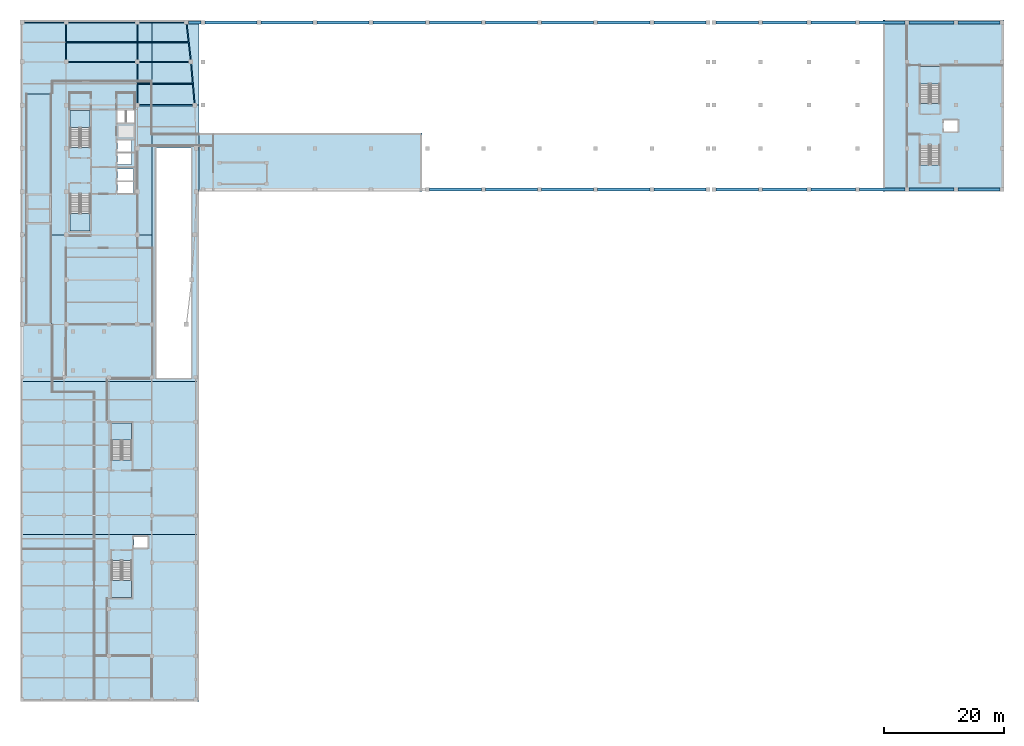
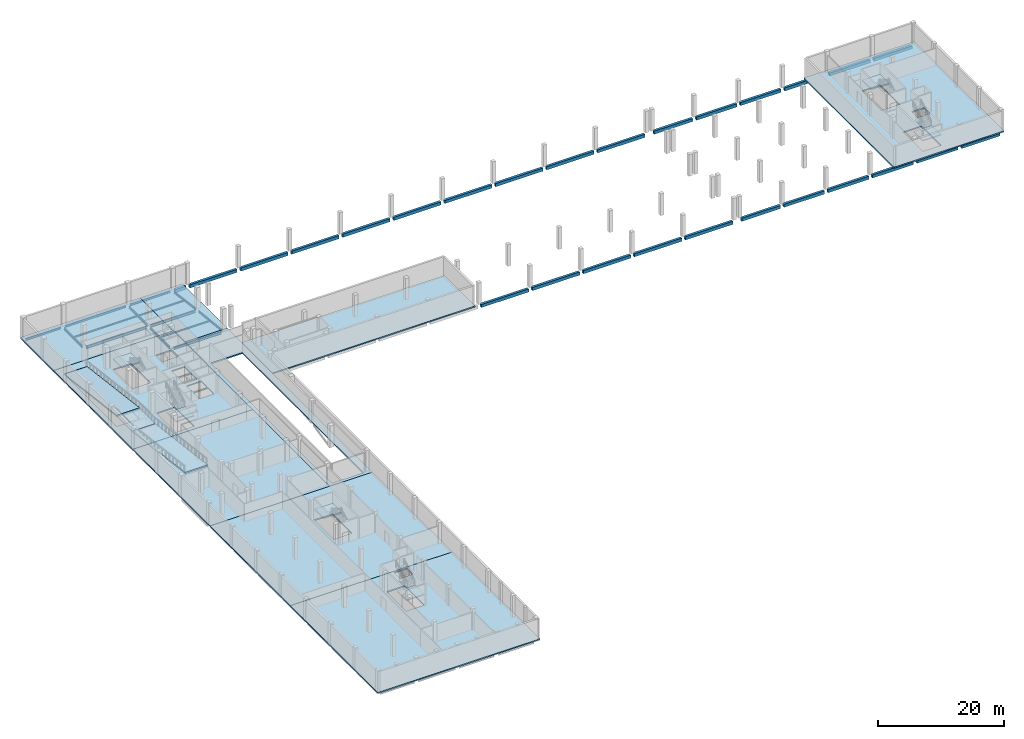
# One storey, part 4 of 15: 41 beams, 18 slabs, 6 elements without a shape of their own.
"""IFC4 building model written with IfcOpenShell, lengths in metres."""

from ifc_helpers import new_model, si_unit, direction, frame, origin, origin_2d, place, context, subcontext, project, spatial, polyline, rectangle, i_section, outline, extrude, material, layer, layer_set, material_profile, profile_set, type_object, element, aggregate, save


model = new_model("IFC4")

# Units and contexts
model_context = context("Model", 3, precision=1e-05, world=origin(), true_north=direction((0.0, 1.0)))
body_context = subcontext(model_context, "Body", "Model", "MODEL_VIEW")
ifc_project = project(units=[si_unit("LENGTHUNIT", "METRE"), si_unit("AREAUNIT", "SQUARE_METRE"), si_unit("VOLUMEUNIT", "CUBIC_METRE"), si_unit("PLANEANGLEUNIT", "RADIAN"), si_unit("MASSUNIT", "GRAM", prefix="KILO")], contexts=[model_context])

# Site, building, storey
site_placement = place(None, origin())
site = spatial("IfcSite", under=ifc_project, at=site_placement, CompositionType="ELEMENT")
building_placement = place(site_placement, origin())
building = spatial("IfcBuilding", under=site, at=building_placement, Name="Quillay Park Conservatory", CompositionType="ELEMENT")
storey_placement = place(building_placement, frame((0.0, 0.0, -4.199951171875)))
storey = spatial("IfcBuildingStorey", under=building, at=storey_placement, Name="B1", CompositionType="ELEMENT", Elevation=-4.199951171875)

# Beams
ifc_material_1 = material(Name="Concrete C35/45 (NCh170 Concrete C35/45)", Category="concrete")
ifc_material_profile_1 = material_profile(ifc_material_1, rectangle(XDim=0.449951171875, YDim=0.60009765625, at=origin_2d()), Name="RC600x450")
ifc_profile_set_1 = profile_set([ifc_material_profile_1], Name="Concrete C35/45 (NCh170 Concrete C35/45)")
beam_type_1 = type_object("IfcBeamType", Name="BASEMENT TIE GIRDER RC600", PredefinedType="BEAM", material=ifc_profile_set_1)
for number, where, z_axis, x_axis, name in (
    (1, (68.397216796875, 85.550048828125, -0.5400390625), (1.0, 0.0, 0.0), (0.0, 1.0, 0.0), "B1 beam BM-SUBN-1550"),
    (2, (77.752685546875, 85.550048828125, -0.5400390625), (1.0, 0.0, 0.0), (0.0, 1.0, 0.0), "B1 beam BM-SUBN-1551"),
    (3, (87.1083984375, 85.550048828125, -0.5400390625), (1.0, 0.0, 0.0), (0.0, 1.0, 0.0), "B1 beam BM-SUBN-1552"),
    (4, (96.4638671875, 85.550048828125, -0.5400390625), (1.0, 0.0, 0.0), (0.0, 1.0, 0.0), "B1 beam BM-SUBN-1553"),
    (5, (105.8193359375, 85.550048828125, -0.5400390625), (1.0, 0.0, 0.0), (0.0, 1.0, 0.0), "B1 beam BM-SUBN-1554"),
):
    element("IfcBeam", number, at=place(storey_placement, frame(where, z_axis=z_axis, x_axis=x_axis)), inside=storey, type_object=beam_type_1, Name=name, PredefinedType="BEAM", context=body_context, shape_type="SweptSolid", body=[
        extrude(rectangle(XDim=0.449951171875, YDim=0.60009765625, at=origin_2d()), origin(), (0.0, 0.0, 1.0), 8.70556640625),
    ])
beam_1_placement = place(storey_placement, frame((116.175048828125, 85.550048828125, -0.5400390625), z_axis=(1.0, 0.0, 0.0), x_axis=(0.0, 1.0, 0.0)))
element("IfcBeam", 6, at=beam_1_placement, inside=storey, type_object=beam_type_1, Name="B1 beam BM-SUBN-1555", PredefinedType="BEAM", context=body_context, shape_type="SweptSolid", body=[
    extrude(rectangle(XDim=0.449951171875, YDim=0.60009765625, at=origin_2d()), origin(), (0.0, 0.0, 1.0), 7.099853515625),
])
beam_2_placement = place(storey_placement, frame((123.925048828125, 85.550048828125, -0.5400390625), z_axis=(1.0, 0.0, 0.0), x_axis=(0.0, 1.0, 0.0)))
element("IfcBeam", 7, at=beam_2_placement, inside=storey, type_object=beam_type_1, Name="B1 beam BM-SUBN-1556", PredefinedType="BEAM", context=body_context, shape_type="SweptSolid", body=[
    extrude(rectangle(XDim=0.449951171875, YDim=0.60009765625, at=origin_2d()), origin(), (0.0, 0.0, 1.0), 7.449951171875),
])
beam_3_placement = place(storey_placement, frame((132.02490234375, 85.550048828125, -0.5400390625), z_axis=(1.0, 0.0, 0.0), x_axis=(0.0, 1.0, 0.0)))
element("IfcBeam", 8, at=beam_3_placement, inside=storey, type_object=beam_type_1, Name="B1 beam BM-SUBN-1557", PredefinedType="BEAM", context=body_context, shape_type="SweptSolid", body=[
    extrude(rectangle(XDim=0.449951171875, YDim=0.60009765625, at=origin_2d()), origin(), (0.0, 0.0, 1.0), 7.4501953125),
])
for number, where, z_axis, x_axis, name in (
    (9, (140.125, 85.550048828125, -0.5400390625), (1.0, 0.0, 0.0), (0.0, 1.0, 0.0), "B1 beam BM-SUBN-1558"),
    (10, (148.324951171875, 85.550048828125, -0.5400390625), (1.0, 0.0, 0.0), (0.0, 1.0, 0.0), "B1 beam BM-SUBN-1559"),
):
    element("IfcBeam", number, at=place(storey_placement, frame(where, z_axis=z_axis, x_axis=x_axis)), inside=storey, type_object=beam_type_1, Name=name, PredefinedType="BEAM", context=body_context, shape_type="SweptSolid", body=[
        extrude(rectangle(XDim=0.449951171875, YDim=0.60009765625, at=origin_2d()), origin(), (0.0, 0.0, 1.0), 7.550048828125),
    ])
beam_4_placement = place(storey_placement, frame((156.52490234375, 85.550048828125, -0.5400390625), z_axis=(1.0, 0.0, 0.0), x_axis=(0.0, 1.0, 0.0)))
element("IfcBeam", 11, at=beam_4_placement, inside=storey, type_object=beam_type_1, Name="B1 beam BM-SUBN-1560", PredefinedType="BEAM", context=body_context, shape_type="SweptSolid", body=[
    extrude(rectangle(XDim=0.449951171875, YDim=0.60009765625, at=origin_2d()), origin(), (0.0, 0.0, 1.0), 7.0),
])
beam_5_placement = place(storey_placement, frame((28.300048828125, 113.39990234375, -0.5400390625), z_axis=(1.0, 0.0, 0.0), x_axis=(0.0, 1.0, 0.0)))
element("IfcBeam", 12, at=beam_5_placement, inside=storey, type_object=beam_type_1, Name="B1 beam BM-SUBN-1561", PredefinedType="BEAM", context=body_context, shape_type="SweptSolid", body=[
    extrude(rectangle(XDim=0.449951171875, YDim=0.60009765625, at=origin_2d()), origin(), (0.0, 0.0, 1.0), 2.02490234375),
])
for number, where, z_axis, x_axis, name in (
    (13, (30.97509765625, 113.39990234375, -0.5400390625), (1.0, 0.0, 0.0), (0.0, 1.0, 0.0), "B1 beam BM-SUBN-1562"),
    (14, (40.33056640625, 113.39990234375, -0.5400390625), (1.0, 0.0, 0.0), (0.0, 1.0, 0.0), "B1 beam BM-SUBN-1563"),
    (15, (49.68603515625, 113.39990234375, -0.5400390625), (1.0, 0.0, 0.0), (0.0, 1.0, 0.0), "B1 beam BM-SUBN-1564"),
    (16, (59.041748046875, 113.39990234375, -0.5400390625), (1.0, 0.0, 0.0), (0.0, 1.0, 0.0), "B1 beam BM-SUBN-1565"),
    (17, (68.397216796875, 113.39990234375, -0.5400390625), (1.0, 0.0, 0.0), (0.0, 1.0, 0.0), "B1 beam BM-SUBN-1566"),
    (18, (77.752685546875, 113.39990234375, -0.5400390625), (1.0, 0.0, 0.0), (0.0, 1.0, 0.0), "B1 beam BM-SUBN-1567"),
    (19, (87.1083984375, 113.39990234375, -0.5400390625), (1.0, 0.0, 0.0), (0.0, 1.0, 0.0), "B1 beam BM-SUBN-1568"),
    (20, (96.4638671875, 113.39990234375, -0.5400390625), (1.0, 0.0, 0.0), (0.0, 1.0, 0.0), "B1 beam BM-SUBN-1569"),
    (21, (105.8193359375, 113.39990234375, -0.5400390625), (1.0, 0.0, 0.0), (0.0, 1.0, 0.0), "B1 beam BM-SUBN-1570"),
):
    element("IfcBeam", number, at=place(storey_placement, frame(where, z_axis=z_axis, x_axis=x_axis)), inside=storey, type_object=beam_type_1, Name=name, PredefinedType="BEAM", context=body_context, shape_type="SweptSolid", body=[
        extrude(rectangle(XDim=0.449951171875, YDim=0.60009765625, at=origin_2d()), origin(), (0.0, 0.0, 1.0), 8.70556640625),
    ])
beam_6_placement = place(storey_placement, frame((116.175048828125, 113.39990234375, -0.5400390625), z_axis=(1.0, 0.0, 0.0), x_axis=(0.0, 1.0, 0.0)))
element("IfcBeam", 22, at=beam_6_placement, inside=storey, type_object=beam_type_1, Name="B1 beam BM-SUBN-1571", PredefinedType="BEAM", context=body_context, shape_type="SweptSolid", body=[
    extrude(rectangle(XDim=0.449951171875, YDim=0.60009765625, at=origin_2d()), origin(), (0.0, 0.0, 1.0), 7.099853515625),
])
beam_7_placement = place(storey_placement, frame((123.925048828125, 113.39990234375, -0.5400390625), z_axis=(1.0, 0.0, 0.0), x_axis=(0.0, 1.0, 0.0)))
element("IfcBeam", 23, at=beam_7_placement, inside=storey, type_object=beam_type_1, Name="B1 beam BM-SUBN-1572", PredefinedType="BEAM", context=body_context, shape_type="SweptSolid", body=[
    extrude(rectangle(XDim=0.449951171875, YDim=0.60009765625, at=origin_2d()), origin(), (0.0, 0.0, 1.0), 7.449951171875),
])
beam_8_placement = place(storey_placement, frame((132.02490234375, 113.39990234375, -0.5400390625), z_axis=(1.0, 0.0, 0.0), x_axis=(0.0, 1.0, 0.0)))
element("IfcBeam", 24, at=beam_8_placement, inside=storey, type_object=beam_type_1, Name="B1 beam BM-SUBN-1573", PredefinedType="BEAM", context=body_context, shape_type="SweptSolid", body=[
    extrude(rectangle(XDim=0.449951171875, YDim=0.60009765625, at=origin_2d()), origin(), (0.0, 0.0, 1.0), 7.4501953125),
])
for number, where, z_axis, x_axis, name in (
    (25, (140.125, 113.39990234375, -0.5400390625), (1.0, 0.0, 0.0), (0.0, 1.0, 0.0), "B1 beam BM-SUBN-1574"),
    (26, (148.324951171875, 113.39990234375, -0.5400390625), (1.0, 0.0, 0.0), (0.0, 1.0, 0.0), "B1 beam BM-SUBN-1575"),
):
    element("IfcBeam", number, at=place(storey_placement, frame(where, z_axis=z_axis, x_axis=x_axis)), inside=storey, type_object=beam_type_1, Name=name, PredefinedType="BEAM", context=body_context, shape_type="SweptSolid", body=[
        extrude(rectangle(XDim=0.449951171875, YDim=0.60009765625, at=origin_2d()), origin(), (0.0, 0.0, 1.0), 7.550048828125),
    ])
beam_9_placement = place(storey_placement, frame((156.52490234375, 113.39990234375, -0.5400390625), z_axis=(1.0, 0.0, 0.0), x_axis=(0.0, 1.0, 0.0)))
element("IfcBeam", 27, at=beam_9_placement, inside=storey, type_object=beam_type_1, Name="B1 beam BM-SUBN-1576", PredefinedType="BEAM", context=body_context, shape_type="SweptSolid", body=[
    extrude(rectangle(XDim=0.449951171875, YDim=0.60009765625, at=origin_2d()), origin(), (0.0, 0.0, 1.0), 7.0),
])
ifc_material_2 = material(Name="Steel ASTM A992 Grade 50", Category="steel")
ifc_material_profile_2 = material_profile(ifc_material_2, i_section(OverallWidth=0.166015625, OverallDepth=0.31298828125, WebThickness=0.006591796875, FlangeThickness=0.01123046875, FilletRadius=0.010009765625, at=origin_2d()), Name="W310x45")
ifc_profile_set_2 = profile_set([ifc_material_profile_2], Name="Steel ASTM A992 Grade 50")
beam_type_2 = type_object("IfcBeamType", Name="COMPOSITE FLOOR JOIST W310 X45", PredefinedType="JOIST", material=ifc_profile_set_2)
beam_10_placement = place(storey_placement, frame((19.845947265625, 103.199951171875, -0.396484375), z_axis=(1.0, 0.0, 0.0), x_axis=(0.0, 1.0, 0.0)))
element("IfcBeam", 28, at=beam_10_placement, inside=storey, type_object=beam_type_2, Name="B1 beam BM-J-0041", PredefinedType="JOIST", context=body_context, shape_type="SweptSolid", body=[
    extrude(i_section(OverallWidth=0.166015625, OverallDepth=0.31298828125, WebThickness=0.006591796875, FlangeThickness=0.01123046875, FilletRadius=0.010009765625, at=origin_2d()), origin(), (0.0, 0.0, 1.0), 9.051513671875),
])
beam_11_placement = place(storey_placement, frame((19.845947265625, 110.10009765625, -0.396484375), z_axis=(1.0, 0.0, 0.0), x_axis=(0.0, 1.0, 0.0)))
element("IfcBeam", 29, at=beam_11_placement, inside=storey, type_object=beam_type_2, Name="B1 beam BM-J-0048", PredefinedType="JOIST", context=body_context, shape_type="SweptSolid", body=[
    extrude(i_section(OverallWidth=0.166015625, OverallDepth=0.31298828125, WebThickness=0.006591796875, FlangeThickness=0.01123046875, FilletRadius=0.010009765625, at=origin_2d()), origin(), (0.0, 0.0, 1.0), 8.364013671875),
])
beam_12_placement = place(storey_placement, frame((7.946044921875, 110.10009765625, -0.396484375), z_axis=(1.0, 0.0, 0.0), x_axis=(0.0, 1.0, 0.0)))
element("IfcBeam", 30, at=beam_12_placement, inside=storey, type_object=beam_type_2, Name="B1 beam BM-J-0049", PredefinedType="JOIST", context=body_context, shape_type="SweptSolid", body=[
    extrude(i_section(OverallWidth=0.166015625, OverallDepth=0.31298828125, WebThickness=0.006591796875, FlangeThickness=0.01123046875, FilletRadius=0.010009765625, at=origin_2d()), origin(), (0.0, 0.0, 1.0), 11.7080078125),
])
ifc_material_3 = material(Name="Steel ASTM A992 Grade 50", Category="steel")
ifc_material_profile_3 = material_profile(ifc_material_3, i_section(OverallWidth=0.179931640625, OverallDepth=0.4130859375, WebThickness=0.009765625, FlangeThickness=0.01611328125, FilletRadius=0.011962890625, at=origin_2d()), Name="W410x74")
ifc_profile_set_3 = profile_set([ifc_material_profile_3], Name="Steel ASTM A992 Grade 50")
beam_type_3 = type_object("IfcBeamType", Name="PERIMETER SPANDREL BEAM W410 X74", PredefinedType="SPANDREL", material=ifc_profile_set_3)
beam_13_placement = place(storey_placement, frame((0.925048828125, 113.39990234375, -0.446533203125), z_axis=(1.0, 0.0, 0.0), x_axis=(0.0, 1.0, 0.0)))
element("IfcBeam", 31, at=beam_13_placement, inside=storey, type_object=beam_type_3, Name="B1 beam BM-SP-0010", PredefinedType="SPANDREL", context=body_context, shape_type="SweptSolid", body=[
    extrude(i_section(OverallWidth=0.179931640625, OverallDepth=0.4130859375, WebThickness=0.009765625, FlangeThickness=0.01611328125, FilletRadius=0.011962890625, at=origin_2d()), origin(), (0.0, 0.0, 1.0), 6.550048828125),
])
beam_14_placement = place(storey_placement, frame((8.22509765625, 113.39990234375, -0.446533203125), z_axis=(1.0, 0.0, 0.0), x_axis=(0.0, 1.0, 0.0)))
element("IfcBeam", 32, at=beam_14_placement, inside=storey, type_object=beam_type_3, Name="B1 beam BM-SP-0011", PredefinedType="SPANDREL", context=body_context, shape_type="SweptSolid", body=[
    extrude(i_section(OverallWidth=0.179931640625, OverallDepth=0.4130859375, WebThickness=0.009765625, FlangeThickness=0.01611328125, FilletRadius=0.011962890625, at=origin_2d()), origin(), (0.0, 0.0, 1.0), 11.14990234375),
])
beam_15_placement = place(storey_placement, frame((20.125, 113.39990234375, -0.446533203125), z_axis=(1.0, 0.0, 0.0), x_axis=(0.0, 1.0, 0.0)))
element("IfcBeam", 33, at=beam_15_placement, inside=storey, type_object=beam_type_3, Name="B1 beam BM-SP-0012", PredefinedType="SPANDREL", context=body_context, shape_type="SweptSolid", body=[
    extrude(i_section(OverallWidth=0.179931640625, OverallDepth=0.4130859375, WebThickness=0.009765625, FlangeThickness=0.01611328125, FilletRadius=0.011962890625, at=origin_2d()), origin(), (0.0, 0.0, 1.0), 7.425048828125),
])
beam_16_placement = place(storey_placement, frame((29.267578125, 99.9736328125, -0.446533203125), z_axis=(-0.086466963953, 0.996254718506, 0.0), x_axis=(-0.996254718506, -0.086466963953, 0.0)))
element("IfcBeam", 34, at=beam_16_placement, inside=storey, type_object=beam_type_3, Name="B1 beam BM-SPE-0037", PredefinedType="SPANDREL", context=body_context, shape_type="SweptSolid", body=[
    extrude(i_section(OverallWidth=0.179931640625, OverallDepth=0.4130859375, WebThickness=0.009765625, FlangeThickness=0.01611328125, FilletRadius=0.011962890625, at=origin_2d()), origin(), (0.0, 0.0, 1.0), 6.47705078125),
])
beam_17_placement = place(storey_placement, frame((28.6328125, 107.172607421875, -0.446533203125), z_axis=(-0.112945944352, 0.993601134085, 0.0), x_axis=(-0.993601134085, -0.112945944352, 0.0)))
element("IfcBeam", 35, at=beam_17_placement, inside=storey, type_object=beam_type_3, Name="B1 beam BM-SPE-0044", PredefinedType="SPANDREL", context=body_context, shape_type="SweptSolid", body=[
    extrude(i_section(OverallWidth=0.179931640625, OverallDepth=0.4130859375, WebThickness=0.009765625, FlangeThickness=0.01611328125, FilletRadius=0.011962890625, at=origin_2d()), origin(), (0.0, 0.0, 1.0), 5.892333984375),
])
ifc_material_4 = material(Name="Steel ASTM A992 Grade 50", Category="steel")
ifc_material_profile_4 = material_profile(ifc_material_4, i_section(OverallWidth=0.19189453125, OverallDepth=0.462890625, WebThickness=0.010498046875, FlangeThickness=0.017578125, FilletRadius=0.012939453125, at=origin_2d()), Name="W460x89")
ifc_profile_set_4 = profile_set([ifc_material_profile_4], Name="Steel ASTM A992 Grade 50")
beam_type_4 = type_object("IfcBeamType", Name="PRIMARY FLOOR GIRDER W460 X89", PredefinedType="BEAM", material=ifc_profile_set_4)
beam_18_placement = place(storey_placement, frame((19.75, 99.97509765625, -0.471435546875), z_axis=(0.0, 1.0, 0.0), x_axis=(-1.0, 0.0, 0.0)))
element("IfcBeam", 36, at=beam_18_placement, inside=storey, type_object=beam_type_4, Name="B1 beam BM-GNS-0039", PredefinedType="BEAM", context=body_context, shape_type="SweptSolid", body=[
    extrude(i_section(OverallWidth=0.19189453125, OverallDepth=0.462890625, WebThickness=0.010498046875, FlangeThickness=0.017578125, FilletRadius=0.012939453125, at=origin_2d()), origin(), (0.0, 0.0, 1.0), 6.449951171875),
])
for number, where, z_axis, x_axis, name in (
    (37, (7.85009765625, 107.175048828125, -0.471435546875), (0.0, 1.0, 0.0), (-1.0, 0.0, 0.0), "B1 beam BM-GNS-0045"),
    (38, (19.75, 107.175048828125, -0.471435546875), (0.0, 1.0, 0.0), (-1.0, 0.0, 0.0), "B1 beam BM-GNS-0046"),
):
    element("IfcBeam", number, at=place(storey_placement, frame(where, z_axis=z_axis, x_axis=x_axis)), inside=storey, type_object=beam_type_4, Name=name, PredefinedType="BEAM", context=body_context, shape_type="SweptSolid", body=[
        extrude(i_section(OverallWidth=0.19189453125, OverallDepth=0.462890625, WebThickness=0.010498046875, FlangeThickness=0.017578125, FilletRadius=0.012939453125, at=origin_2d()), origin(), (0.0, 0.0, 1.0), 5.849853515625),
    ])
ifc_material_5 = material(Name="Steel ASTM A992 Grade 50", Category="steel")
ifc_material_profile_5 = material_profile(ifc_material_5, i_section(OverallWidth=0.2109375, OverallDepth=0.5390625, WebThickness=0.01171875, FlangeThickness=0.018798828125, FilletRadius=0.013916015625, at=origin_2d()), Name="W530x109")
ifc_profile_set_5 = profile_set([ifc_material_profile_5], Name="Steel ASTM A992 Grade 50")
beam_type_5 = type_object("IfcBeamType", Name="PRIMARY FLOOR GIRDER W530 X109", PredefinedType="BEAM", material=ifc_profile_set_5)
beam_19_placement = place(storey_placement, frame((20.125, 99.60009765625, -0.509521484375), z_axis=(1.0, 0.0, 0.0), x_axis=(0.0, 1.0, 0.0)))
element("IfcBeam", 39, at=beam_19_placement, inside=storey, type_object=beam_type_5, Name="B1 beam BM-G-0006", PredefinedType="BEAM", context=body_context, shape_type="SweptSolid", body=[
    extrude(i_section(OverallWidth=0.2109375, OverallDepth=0.5390625, WebThickness=0.01171875, FlangeThickness=0.018798828125, FilletRadius=0.013916015625, at=origin_2d()), origin(), (0.0, 0.0, 1.0), 8.800048828125),
])
beam_20_placement = place(storey_placement, frame((8.22509765625, 106.800048828125, -0.509521484375), z_axis=(1.0, 0.0, 0.0), x_axis=(0.0, 1.0, 0.0)))
element("IfcBeam", 40, at=beam_20_placement, inside=storey, type_object=beam_type_5, Name="B1 beam BM-G-0008", PredefinedType="BEAM", context=body_context, shape_type="SweptSolid", body=[
    extrude(i_section(OverallWidth=0.2109375, OverallDepth=0.5390625, WebThickness=0.01171875, FlangeThickness=0.018798828125, FilletRadius=0.013916015625, at=origin_2d()), origin(), (0.0, 0.0, 1.0), 11.14990234375),
])
beam_21_placement = place(storey_placement, frame((20.125, 106.800048828125, -0.509521484375), z_axis=(1.0, 0.0, 0.0), x_axis=(0.0, 1.0, 0.0)))
element("IfcBeam", 41, at=beam_21_placement, inside=storey, type_object=beam_type_5, Name="B1 beam BM-G-0009", PredefinedType="BEAM", context=body_context, shape_type="SweptSolid", body=[
    extrude(i_section(OverallWidth=0.2109375, OverallDepth=0.5390625, WebThickness=0.01171875, FlangeThickness=0.018798828125, FilletRadius=0.013916015625, at=origin_2d()), origin(), (0.0, 0.0, 1.0), 8.175048828125),
])

# Slab
ifc_material_6 = material(Name="Concrete C35/45 (NCh170 Concrete C35/45)", Category="concrete")
ifc_layer_1 = layer(ifc_material_6, 0.25)
ifc_layer_set_1 = layer_set([ifc_layer_1], Name="RAMP LANDING SLAB 250 (Concrete C35/45 (NCh170 Concrete C35/45))")
slab_type_1 = type_object("IfcSlabType", Name="RAMP LANDING SLAB 250", PredefinedType="LANDING", material=ifc_layer_set_1)
slab_1_placement = place(storey_placement, frame((0.0, 0.0, 1.820068359375)))
element("IfcSlab", 42, at=slab_1_placement, inside=storey, type_object=slab_type_1, Name="Vehicle Service Ramp R1 Mid-Landing Slab", PredefinedType="LANDING", context=body_context, shape_type="SweptSolid", body=[
    extrude(outline(polyline([(1.199951171875, 79.800048828125), (5.39990234375, 79.800048828125), (5.39990234375, 84.800048828125), (1.199951171875, 84.800048828125), (1.199951171875, 79.800048828125)])), origin(), (0.0, 0.0, 1.0), 0.27978515625),
])

# Stair, slab
ifc_material_7 = material(Name="Concrete C35/45 (NCh170 Concrete C35/45)", Category="concrete")
stair_type = type_object("IfcStairType", Name="ENCLOSED DOG LEG STAIR 4200", PredefinedType="HALF_TURN_STAIR", material=ifc_material_7)
stair_1_placement = place(storey_placement, origin())
stair_1 = element("IfcStair", 43, at=stair_1_placement, inside=storey, type_object=stair_type, Name="B1 Tower Protected Exit Stair 1", PredefinedType="HALF_TURN_STAIR")
ifc_material_8 = material(Name="Concrete C35/45 (NCh170 Concrete C35/45)", Category="concrete")
ifc_layer_2 = layer(ifc_material_8, 0.199951171875)
ifc_layer_set_2 = layer_set([ifc_layer_2], Name="STAIR LANDING SLAB 200 (Concrete C35/45 (NCh170 Concrete C35/45))")
slab_type_2 = type_object("IfcSlabType", Name="STAIR LANDING SLAB 200", PredefinedType="LANDING", material=ifc_layer_set_2)
slab_2_placement = place(storey_placement, frame((0.0, 0.0, 1.89990234375)))
slab_2 = element("IfcSlab", 44, at=slab_2_placement, type_object=slab_type_2, Name="ST-T1 landing 1", PredefinedType="LANDING", context=body_context, shape_type="SweptSolid", body=[
    extrude(outline(polyline([(11.8701171875, 95.85009765625), (11.8701171875, 98.75), (8.550048828125, 98.75), (8.550048828125, 95.85009765625), (11.8701171875, 95.85009765625)])), origin(), (0.0, 0.0, 1.0), 0.199951171875),
])
aggregate(stair_1, [slab_2])

stair_2_placement = place(storey_placement, origin())
stair_2 = element("IfcStair", 45, at=stair_2_placement, inside=storey, type_object=stair_type, Name="B1 Tower Protected Exit Stair 2", PredefinedType="HALF_TURN_STAIR")
slab_3_placement = place(storey_placement, frame((0.0, 0.0, 1.89990234375)))
slab_3 = element("IfcSlab", 46, at=slab_3_placement, type_object=slab_type_2, Name="ST-T2 landing 1", PredefinedType="LANDING", context=body_context, shape_type="SweptSolid", body=[
    extrude(outline(polyline([(8.550048828125, 81.550048828125), (8.550048828125, 78.64990234375), (11.8701171875, 78.64990234375), (11.8701171875, 81.550048828125), (8.550048828125, 81.550048828125)])), origin(), (0.0, 0.0, 1.0), 0.199951171875),
])
aggregate(stair_2, [slab_3])

stair_3_placement = place(storey_placement, origin())
stair_3 = element("IfcStair", 47, at=stair_3_placement, inside=storey, type_object=stair_type, Name="B1 Visitor Centre Exit Stair 1", PredefinedType="HALF_TURN_STAIR")
slab_4_placement = place(storey_placement, frame((0.0, 0.0, 1.89990234375)))
slab_4 = element("IfcSlab", 48, at=slab_4_placement, type_object=slab_type_2, Name="ST-V1 landing 1", PredefinedType="LANDING", context=body_context, shape_type="SweptSolid", body=[
    extrude(outline(polyline([(15.449951171875, 20.39990234375), (15.449951171875, 17.5), (18.77001953125, 17.5), (18.77001953125, 20.39990234375), (15.449951171875, 20.39990234375)])), origin(), (0.0, 0.0, 1.0), 0.199951171875),
])
aggregate(stair_3, [slab_4])

stair_4_placement = place(storey_placement, origin())
stair_4 = element("IfcStair", 49, at=stair_4_placement, inside=storey, type_object=stair_type, Name="B1 Visitor Centre Exit Stair 2", PredefinedType="HALF_TURN_STAIR")
slab_5_placement = place(storey_placement, frame((0.0, 0.0, 1.89990234375)))
slab_5 = element("IfcSlab", 50, at=slab_5_placement, type_object=slab_type_2, Name="ST-V2 landing 1", PredefinedType="LANDING", context=body_context, shape_type="SweptSolid", body=[
    extrude(outline(polyline([(18.77001953125, 43.75), (18.77001953125, 46.64990234375), (15.449951171875, 46.64990234375), (15.449951171875, 43.75), (18.77001953125, 43.75)])), origin(), (0.0, 0.0, 1.0), 0.199951171875),
])
aggregate(stair_4, [slab_5])

stair_5_placement = place(storey_placement, origin())
stair_5 = element("IfcStair", 51, at=stair_5_placement, inside=storey, type_object=stair_type, Name="B1 Auditorium Exit Stair 1", PredefinedType="HALF_TURN_STAIR")
slab_6_placement = place(storey_placement, frame((0.0, 0.0, 1.89990234375)))
slab_6 = element("IfcSlab", 52, at=slab_6_placement, type_object=slab_type_2, Name="ST-A1 landing 1", PredefinedType="LANDING", context=body_context, shape_type="SweptSolid", body=[
    extrude(outline(polyline([(150.199951171875, 89.64990234375), (150.199951171875, 86.75), (153.52001953125, 86.75), (153.52001953125, 89.64990234375), (150.199951171875, 89.64990234375)])), origin(), (0.0, 0.0, 1.0), 0.199951171875),
])
aggregate(stair_5, [slab_6])

stair_6_placement = place(storey_placement, origin())
stair_6 = element("IfcStair", 53, at=stair_6_placement, inside=storey, type_object=stair_type, Name="B1 Auditorium Exit Stair 2", PredefinedType="HALF_TURN_STAIR")
slab_7_placement = place(storey_placement, frame((0.0, 0.0, 1.89990234375)))
slab_7 = element("IfcSlab", 54, at=slab_7_placement, type_object=slab_type_2, Name="ST-A2 landing 1", PredefinedType="LANDING", context=body_context, shape_type="SweptSolid", body=[
    extrude(outline(polyline([(153.52001953125, 103.14990234375), (153.52001953125, 106.050048828125), (150.199951171875, 106.050048828125), (150.199951171875, 103.14990234375), (153.52001953125, 103.14990234375)])), origin(), (0.0, 0.0, 1.0), 0.199951171875),
])
aggregate(stair_6, [slab_7])

# Slabs
ifc_material_9 = material(Name="Concrete C35/45 (NCh170 Concrete C35/45)", Category="concrete")
ifc_layer_3 = layer(ifc_material_9, 0.239990234375)
ifc_layer_set_3 = layer_set([ifc_layer_3], Name="SUSPENDED FLOOR SLAB 240 (Concrete C35/45 (NCh170 Concrete C35/45))")
slab_type_3 = type_object("IfcSlabType", Name="SUSPENDED FLOOR SLAB 240", PredefinedType="FLOOR", material=ifc_layer_set_3)
slab_8_placement = place(storey_placement, frame((0.0, 0.0, -0.239990234375)))
element("IfcSlab", 55, at=slab_8_placement, inside=storey, type_object=slab_type_3, Name="B1 slab SLB-B1-W1", PredefinedType="FLOOR", context=body_context, shape_type="SweptSolid", body=[
    extrude(outline(polyline([(0.25, 0.199951171875), (30.0, 0.199951171875), (30.0, 28.0), (0.25, 28.0), (0.25, 0.199951171875)]), holes=[polyline([(15.449951171875, 17.5), (18.77001953125, 17.5), (18.77001953125, 23.669921875), (15.449951171875, 23.669921875), (15.449951171875, 17.5)]), polyline([(19.14990234375, 25.800048828125), (21.449951171875, 25.800048828125), (21.449951171875, 27.699951171875), (19.14990234375, 27.699951171875), (19.14990234375, 25.800048828125)])]), origin(), (0.0, 0.0, 1.0), 0.239990234375),
])
slab_9_placement = place(storey_placement, frame((0.0, 0.0, -0.239990234375)))
element("IfcSlab", 56, at=slab_9_placement, inside=storey, type_object=slab_type_3, Name="B1 slab SLB-B1-W2", PredefinedType="FLOOR", context=body_context, shape_type="SweptSolid", body=[
    extrude(outline(polyline([(0.25, 28.0), (30.0, 28.0), (30.0, 53.5), (0.25, 53.5), (0.25, 28.0)]), holes=[polyline([(15.449951171875, 40.47998046875), (18.77001953125, 40.47998046875), (18.77001953125, 46.64990234375), (15.449951171875, 46.64990234375), (15.449951171875, 40.47998046875)])]), origin(), (0.0, 0.0, 1.0), 0.239990234375),
])
slab_10_placement = place(storey_placement, frame((0.0, 0.0, -0.239990234375)))
element("IfcSlab", 57, at=slab_10_placement, inside=storey, type_object=slab_type_3, Name="B1 slab SLB-B1-W3", PredefinedType="FLOOR", context=body_context, shape_type="SweptSolid", body=[
    extrude(outline(polyline([(0.25, 53.5), (22.199951171875, 53.5), (22.199951171875, 78.0), (0.25, 78.0), (0.25, 53.5)])), origin(), (0.0, 0.0, 1.0), 0.239990234375),
])
slab_11_placement = place(storey_placement, frame((0.0, 0.0, -0.239990234375)))
element("IfcSlab", 58, at=slab_11_placement, inside=storey, type_object=slab_type_3, Name="B1 slab SLB-B1-W4", PredefinedType="FLOOR", context=body_context, shape_type="SweptSolid", body=[
    extrude(outline(polyline([(0.25, 78.0), (22.199951171875, 78.0), (22.199951171875, 103.199951171875), (0.25, 103.199951171875), (0.25, 78.0)]), holes=[polyline([(8.550048828125, 92.580078125), (11.8701171875, 92.580078125), (11.8701171875, 98.75), (8.550048828125, 98.75), (8.550048828125, 92.580078125)]), polyline([(8.550048828125, 78.64990234375), (11.8701171875, 78.64990234375), (11.8701171875, 84.820068359375), (8.550048828125, 84.820068359375), (8.550048828125, 78.64990234375)]), polyline([(16.39990234375, 84.89990234375), (19.10009765625, 84.89990234375), (19.10009765625, 86.800048828125), (16.39990234375, 86.800048828125), (16.39990234375, 84.89990234375)]), polyline([(16.39990234375, 87.050048828125), (19.10009765625, 87.050048828125), (19.10009765625, 88.949951171875), (16.39990234375, 88.949951171875), (16.39990234375, 87.050048828125)]), polyline([(16.39990234375, 89.699951171875), (18.800048828125, 89.699951171875), (18.800048828125, 91.60009765625), (16.39990234375, 91.60009765625), (16.39990234375, 89.699951171875)]), polyline([(16.39990234375, 91.85009765625), (18.800048828125, 91.85009765625), (18.800048828125, 93.75), (16.39990234375, 93.75), (16.39990234375, 91.85009765625)]), polyline([(16.39990234375, 96.699951171875), (19.300048828125, 96.699951171875), (19.300048828125, 98.75), (16.39990234375, 98.75), (16.39990234375, 96.699951171875)]), polyline([(1.199951171875, 84.800048828125), (5.39990234375, 84.800048828125), (5.39990234375, 101.5), (1.199951171875, 101.5), (1.199951171875, 84.800048828125)])]), origin(), (0.0, 0.0, 1.0), 0.239990234375),
])
slab_12_placement = place(storey_placement, frame((0.0, 0.0, -0.239990234375)))
element("IfcSlab", 59, at=slab_12_placement, inside=storey, type_object=slab_type_3, Name="B1 slab SLB-B1-W5", PredefinedType="FLOOR", context=body_context, shape_type="SweptSolid", body=[
    extrude(outline(polyline([(0.25, 103.199951171875), (22.199951171875, 103.199951171875), (22.199951171875, 113.800048828125), (0.25, 113.800048828125), (0.25, 103.199951171875)])), origin(), (0.0, 0.0, 1.0), 0.239990234375),
])
slab_13_placement = place(storey_placement, frame((0.0, 0.0, -0.239990234375)))
element("IfcSlab", 60, at=slab_13_placement, inside=storey, type_object=slab_type_3, Name="B1 slab SLB-B1-W6", PredefinedType="FLOOR", context=body_context, shape_type="SweptSolid", body=[
    extrude(outline(polyline([(22.199951171875, 53.5), (30.0, 53.5), (30.0, 99.60009765625), (22.199951171875, 99.60009765625), (22.199951171875, 53.5)]), holes=[polyline([(22.89990234375, 54.10009765625), (28.699951171875, 54.10009765625), (28.699951171875, 92.5), (22.89990234375, 92.5), (22.89990234375, 54.10009765625)])]), origin(), (0.0, 0.0, 1.0), 0.239990234375),
])
slab_14_placement = place(storey_placement, frame((0.0, 0.0, -0.239990234375)))
element("IfcSlab", 61, at=slab_14_placement, inside=storey, type_object=slab_type_3, Name="B1 slab SLB-B1-W7", PredefinedType="FLOOR", context=body_context, shape_type="SweptSolid", body=[
    extrude(outline(polyline([(22.199951171875, 99.60009765625), (30.0, 99.60009765625), (30.0, 113.800048828125), (22.199951171875, 113.800048828125), (22.199951171875, 99.60009765625)])), origin(), (0.0, 0.0, 1.0), 0.239990234375),
])
slab_15_placement = place(storey_placement, frame((0.0, 0.0, -0.239990234375)))
element("IfcSlab", 62, at=slab_15_placement, inside=storey, type_object=slab_type_3, Name="B1 slab SLB-B1-N1", PredefinedType="FLOOR", context=body_context, shape_type="SweptSolid", body=[
    extrude(outline(polyline([(30.0, 85.199951171875), (67.199951171875, 85.199951171875), (67.199951171875, 95.0), (30.0, 95.0), (30.0, 85.199951171875)])), origin(), (0.0, 0.0, 1.0), 0.239990234375),
])
slab_16_placement = place(storey_placement, frame((0.0, 0.0, -0.239990234375)))
element("IfcSlab", 63, at=slab_16_placement, inside=storey, type_object=slab_type_3, Name="B1 slab SLB-B1-N2", PredefinedType="FLOOR", context=body_context, shape_type="SweptSolid", body=[
    extrude(outline(polyline([(144.0, 85.199951171875), (164.199951171875, 85.199951171875), (164.199951171875, 113.800048828125), (144.0, 113.800048828125), (144.0, 85.199951171875)]), holes=[polyline([(150.199951171875, 86.75), (153.52001953125, 86.75), (153.52001953125, 92.919921875), (150.199951171875, 92.919921875), (150.199951171875, 86.75)]), polyline([(150.199951171875, 99.8798828125), (153.52001953125, 99.8798828125), (153.52001953125, 106.050048828125), (150.199951171875, 106.050048828125), (150.199951171875, 99.8798828125)]), polyline([(154.14990234375, 95.199951171875), (156.449951171875, 95.199951171875), (156.449951171875, 97.10009765625), (154.14990234375, 97.10009765625), (154.14990234375, 95.199951171875)])]), origin(), (0.0, 0.0, 1.0), 0.239990234375),
])
ifc_material_10 = material(Name="Concrete C35/45 (NCh170 Concrete C35/45)", Category="concrete")
ifc_layer_4 = layer(ifc_material_10, 0.260009765625)
ifc_layer_set_4 = layer_set([ifc_layer_4], Name="VEHICLE RAMP SLAB 260 (Concrete C35/45 (NCh170 Concrete C35/45))")
slab_type_4 = type_object("IfcSlabType", Name="VEHICLE RAMP SLAB 260", PredefinedType="FLOOR", material=ifc_layer_set_4)
slab_17_placement = place(storey_placement, frame((1.199951171875, 63.1201171875, 4.199951171875), z_axis=(0.0, 0.125067182444, 0.992148275146), x_axis=(1.0, 0.0, 0.0)))
element("IfcSlab", 64, at=slab_17_placement, inside=storey, type_object=slab_type_4, Name="Vehicle Service Ramp R1 Structural Slab RF1-F1", PredefinedType="FLOOR", context=body_context, shape_type="SweptSolid", body=[
    extrude(outline(polyline([(0.0, 0.0), (2.10009765625, 0.0), (4.199951171875, 0.0), (4.199951171875, 8.395757068213818), (4.199951171875, 16.79175636012762), (2.10009765625, 16.79175636012762), (0.0, 16.79175636012762), (0.0, 8.395757068213818), (0.0, 0.0)])), origin(), (0.0, 0.0, -1.0), 0.260009765625),
])
slab_18_placement = place(storey_placement, frame((1.199951171875, 84.820068359375, 2.099853515625), z_axis=(0.0, 0.125052870512, 0.99215007916), x_axis=(1.0, 0.0, 0.0)))
element("IfcSlab", 65, at=slab_18_placement, inside=storey, type_object=slab_type_4, Name="Vehicle Service Ramp R1 Structural Slab RF1-F2", PredefinedType="FLOOR", context=body_context, shape_type="SweptSolid", body=[
    extrude(outline(polyline([(0.0, 0.0), (2.10009765625, 0.0), (4.199951171875, 0.0), (4.199951171875, 8.395726536634106), (4.199951171875, 16.791725827894595), (2.10009765625, 16.791725827894595), (0.0, 16.791725827894595), (0.0, 8.395726536634106), (0.0, 0.0)])), origin(), (0.0, 0.0, -1.0), 0.260009765625),
])

save(model, "model.ifc")
